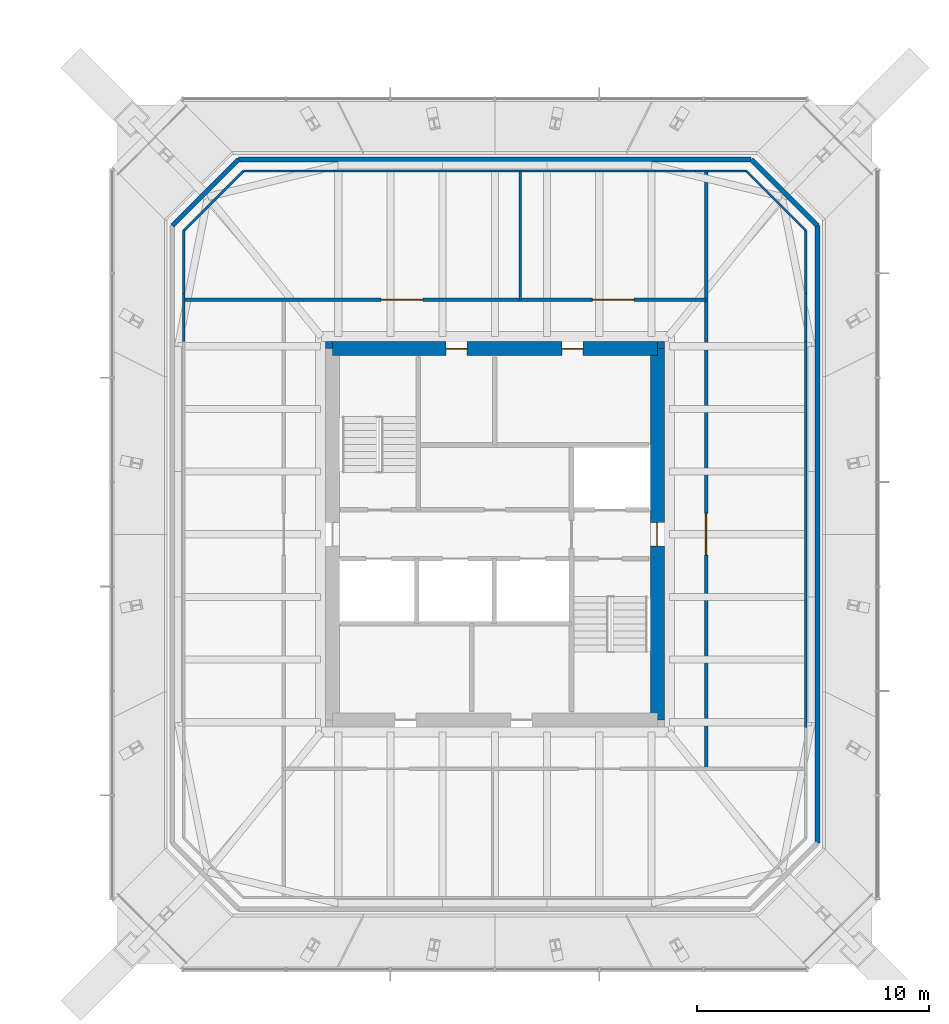
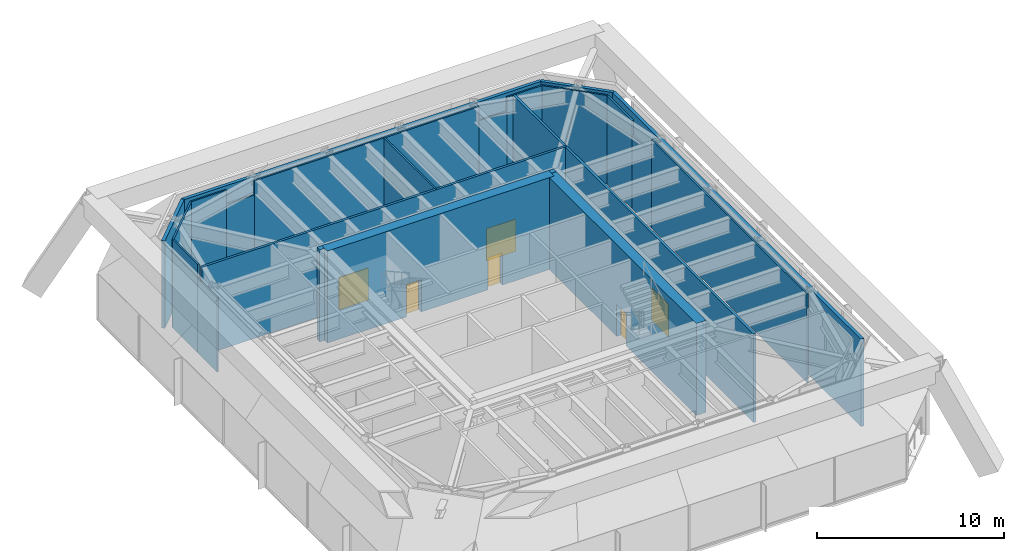
# One storey, part 12 of 16: 23 walls, 6 doors, 6 openings.
"""IFC4 building model written with IfcOpenShell, lengths in metres."""

from ifc_helpers import new_model, si_unit, direction, frame, frame_2d, origin, place, context, subcontext, project, spatial, rectangle, extrude, material, layer, layer_set, type_object, element, fill, save


model = new_model("IFC4")

# Units and contexts
model_context = context("Model", 3, precision=1e-05, world=origin(), true_north=direction((0.0, 1.0)))
body_context = subcontext(model_context, "Body", "Model", "MODEL_VIEW")
ifc_project = project(units=[si_unit("LENGTHUNIT", "METRE"), si_unit("AREAUNIT", "SQUARE_METRE"), si_unit("VOLUMEUNIT", "CUBIC_METRE"), si_unit("PLANEANGLEUNIT", "RADIAN"), si_unit("MASSUNIT", "GRAM", prefix="KILO")], contexts=[model_context])

# Site, building, storey
site_placement = place(None, origin())
site = spatial("IfcSite", under=ifc_project, at=site_placement, CompositionType="ELEMENT")
building_placement = place(site_placement, origin())
building = spatial("IfcBuilding", under=site, at=building_placement, Name="Iwan Alto Co-Living Towers", CompositionType="ELEMENT")
storey_placement = place(building_placement, frame((0.0, 0.0, 74.5)))
storey = spatial("IfcBuildingStorey", under=building, at=storey_placement, Name="L20", CompositionType="ELEMENT", Elevation=74.5)

# Wall, openings, doors
ifc_material_1 = material(Name="Gypsum board")
ifc_layer_1 = layer(ifc_material_1, 0.02490234375, Name="Board", Category="Finish")
ifc_material_2 = material(Name="Steel ASTM A1003 ST33H cold-formed studs", Category="steel")
ifc_layer_2 = layer(ifc_material_2, 0.10009765625, Name="Studs", Category="Framing")
ifc_layer_3 = layer(ifc_material_1, 0.02490234375, Name="Board", Category="Finish")
ifc_layer_set_1 = layer_set([ifc_layer_1, ifc_layer_2, ifc_layer_3], Name="CORRIDOR WALL 150")
wall_type_1 = type_object("IfcWallType", Name="CORRIDOR WALL 150", PredefinedType="PARTITIONING", material=ifc_layer_set_1)
wall_1_placement = place(storey_placement, frame((49.60009765625, 10.10009765625, 0.0), z_axis=(0.0, 0.0, 1.0), x_axis=(1.0, 0.0, 0.0)))
wall_1 = element("IfcWall", 1, at=wall_1_placement, inside=storey, type_object=wall_type_1, Name="Partition L20", PredefinedType="PARTITIONING", context=body_context, shape_type="SweptSolid", body=[
    extrude(rectangle(XDim=22.5, YDim=0.14990234375, at=frame_2d((11.25, 0.0))), origin(), (0.0, 0.0, 1.0), 5.77001953125),
])
opening_1_placement = place(wall_1_placement, frame((17.60009765625, 0.0, 0.0)))
opening_1 = element("IfcOpeningElement", 2, at=opening_1_placement, cuts=wall_1, Name="Opening D9", PredefinedType="OPENING", context=body_context, shape_type="SweptSolid", body=[
    extrude(rectangle(XDim=1.800048828125, YDim=2.10009765625, at=frame_2d((0.89990234375, 1.050048828125))), frame((0.0, 0.0849609375, 0.0), z_axis=(0.0, -1.0, 0.0), x_axis=(1.0, 0.0, 0.0)), (0.0, 0.0, 1.0), 0.169921875),
])
opening_2_placement = place(wall_1_placement, frame((8.5, 0.0, 0.0)))
opening_2 = element("IfcOpeningElement", 3, at=opening_2_placement, cuts=wall_1, Name="Opening D9", PredefinedType="OPENING", context=body_context, shape_type="SweptSolid", body=[
    extrude(rectangle(XDim=1.800048828125, YDim=2.10009765625, at=frame_2d((0.89990234375, 1.050048828125))), frame((0.0, 0.0849609375, 0.0), z_axis=(0.0, -1.0, 0.0), x_axis=(1.0, 0.0, 0.0)), (0.0, 0.0, 1.0), 0.169921875),
])
ifc_material_3 = material(Name="Steel frame with timber leaf", Category="steel")
door_type_1 = type_object("IfcDoorType", Name="LOUNGE DOOR FD30S 1800X2100", OperationType="DOUBLE_DOOR_SINGLE_SWING", PredefinedType="DOOR", material=ifc_material_3)
door_1_placement = place(opening_1_placement, origin())
door_1 = element("IfcDoor", 4, at=door_1_placement, inside=storey, type_object=door_type_1, Name="LV switch room door L20", OperationType="DOUBLE_DOOR_SINGLE_SWING", OverallHeight=2.10009765625, OverallWidth=1.800048828125, PredefinedType="DOOR", context=body_context, shape_type="SweptSolid", body=[
    extrude(rectangle(XDim=1.800048828125, YDim=2.10009765625, at=frame_2d((0.89990234375, 1.050048828125))), frame((0.0, 0.02490234375, 0.0), z_axis=(0.0, -1.0, 0.0), x_axis=(1.0, 0.0, 0.0)), (0.0, 0.0, 1.0), 0.050048828125),
])
fill(opening_1, door_1)
door_2_placement = place(opening_2_placement, origin())
door_2 = element("IfcDoor", 5, at=door_2_placement, inside=storey, type_object=door_type_1, Name="Plant room (air handling) door L20", OperationType="DOUBLE_DOOR_SINGLE_SWING", OverallHeight=2.10009765625, OverallWidth=1.800048828125, PredefinedType="DOOR", context=body_context, shape_type="SweptSolid", body=[
    extrude(rectangle(XDim=1.800048828125, YDim=2.10009765625, at=frame_2d((0.89990234375, 1.050048828125))), frame((0.0, 0.02490234375, 0.0), z_axis=(0.0, -1.0, 0.0), x_axis=(1.0, 0.0, 0.0)), (0.0, 0.0, 1.0), 0.050048828125),
])
fill(opening_2, door_2)

# Wall, opening, door
wall_2_placement = place(storey_placement, frame((72.10009765625, -10.10009765625, 0.0), z_axis=(0.0, 0.0, 1.0), x_axis=(0.0, 1.0, 0.0)))
wall_2 = element("IfcWall", 6, at=wall_2_placement, inside=storey, type_object=wall_type_1, Name="Partition L20", PredefinedType="PARTITIONING", context=body_context, shape_type="SweptSolid", body=[
    extrude(rectangle(XDim=25.75, YDim=0.14990234375, at=frame_2d((12.875, 0.0))), origin(), (0.0, 0.0, 1.0), 5.77001953125),
])
opening_3_placement = place(wall_2_placement, frame((9.199951171875, 0.0, 0.0)))
opening_3 = element("IfcOpeningElement", 7, at=opening_3_placement, cuts=wall_2, Name="Opening D9", PredefinedType="OPENING", context=body_context, shape_type="SweptSolid", body=[
    extrude(rectangle(XDim=1.800048828125, YDim=2.10009765625, at=frame_2d((0.89990234375, 1.050048828125))), frame((0.0, 0.0849609375, 0.0), z_axis=(0.0, -1.0, 0.0), x_axis=(1.0, 0.0, 0.0)), (0.0, 0.0, 1.0), 0.169921875),
])
door_3_placement = place(opening_3_placement, origin())
door_3 = element("IfcDoor", 8, at=door_3_placement, inside=storey, type_object=door_type_1, Name="Refuge area door L20", OperationType="DOUBLE_DOOR_SINGLE_SWING", OverallHeight=2.10009765625, OverallWidth=1.800048828125, PredefinedType="DOOR", context=body_context, shape_type="SweptSolid", body=[
    extrude(rectangle(XDim=1.800048828125, YDim=2.10009765625, at=frame_2d((0.89990234375, 1.050048828125))), frame((0.0, 0.02490234375, 0.0), z_axis=(0.0, -1.0, 0.0), x_axis=(1.0, 0.0, 0.0)), (0.0, 0.0, 1.0), 0.050048828125),
])
fill(opening_3, door_3)

# Walls
ifc_layer_4 = layer(ifc_material_1, 0.012451171875, Name="Board", Category="Finish")
ifc_layer_5 = layer(ifc_material_2, 0.074951171875, Name="Studs", Category="Framing")
ifc_layer_6 = layer(ifc_material_1, 0.012451171875, Name="Board", Category="Finish")
ifc_layer_set_2 = layer_set([ifc_layer_4, ifc_layer_5, ifc_layer_6], Name="PARTITION 100")
wall_type_2 = type_object("IfcWallType", Name="PARTITION 100", PredefinedType="PARTITIONING", material=ifc_layer_set_2)
wall_3_placement = place(storey_placement, frame((52.162109375, 15.64990234375, 0.0), z_axis=(0.0, 0.0, 1.0), x_axis=(1.0, 0.0, 0.0)))
element("IfcWall", 9, at=wall_3_placement, inside=storey, type_object=wall_type_2, Name="Partition L20", PredefinedType="PARTITIONING", context=body_context, shape_type="SweptSolid", body=[
    extrude(rectangle(XDim=2.19384765625, YDim=0.10009765625, at=frame_2d((1.096923828125, 0.0))), origin(), (0.0, 0.0, 1.0), 5.77001953125),
])
wall_4_placement = place(storey_placement, frame((49.60009765625, 13.087890625, 0.0), z_axis=(0.0, 0.0, 1.0), x_axis=(0.707106781187, 0.707106781187, 0.0)))
element("IfcWall", 10, at=wall_4_placement, inside=storey, type_object=wall_type_2, Name="Partition L20", PredefinedType="PARTITIONING", context=body_context, shape_type="SweptSolid", body=[
    extrude(rectangle(XDim=3.623291015625, YDim=0.10009765625, at=frame_2d((1.8115234375, 0.0))), origin(), (0.0, 0.0, 1.0), 5.77001953125),
])
wall_5_placement = place(storey_placement, frame((64.10009765625, 10.10009765625, 0.0), z_axis=(0.0, 0.0, 1.0), x_axis=(0.0, 1.0, 0.0)))
element("IfcWall", 11, at=wall_5_placement, inside=storey, type_object=wall_type_2, Name="Partition L20", PredefinedType="PARTITIONING", context=body_context, shape_type="SweptSolid", body=[
    extrude(rectangle(XDim=5.5498046875, YDim=0.10009765625, at=frame_2d((2.77490234375, 0.0))), origin(), (0.0, 0.0, 1.0), 5.77001953125),
])
wall_6_placement = place(storey_placement, frame((76.39990234375, 13.087890625, 0.0), z_axis=(0.0, 0.0, 1.0), x_axis=(-0.707106781187, 0.707106781187, 0.0)))
element("IfcWall", 12, at=wall_6_placement, inside=storey, type_object=wall_type_2, Name="Partition L20", PredefinedType="PARTITIONING", context=body_context, shape_type="SweptSolid", body=[
    extrude(rectangle(XDim=3.623291015625, YDim=0.10009765625, at=frame_2d((1.8115234375, 0.0))), origin(), (0.0, 0.0, 1.0), 5.77001953125),
])
wall_7_placement = place(storey_placement, frame((54.35595703125, 15.64990234375, 0.0), z_axis=(0.0, 0.0, 1.0), x_axis=(1.0, 0.0, 0.0)))
element("IfcWall", 13, at=wall_7_placement, inside=storey, type_object=wall_type_2, Name="Partition L20", PredefinedType="PARTITIONING", context=body_context, shape_type="SweptSolid", body=[
    extrude(rectangle(XDim=1.720947265625, YDim=0.10009765625, at=frame_2d((0.8603515625, 0.0))), origin(), (0.0, 0.0, 1.0), 4.843017578125),
])
wall_8_placement = place(storey_placement, frame((56.076904296875, 15.64990234375, 0.0), z_axis=(0.0, 0.0, 1.0), x_axis=(1.0, 0.0, 0.0)))
element("IfcWall", 14, at=wall_8_placement, inside=storey, type_object=wall_type_2, Name="Partition L20", PredefinedType="PARTITIONING", context=body_context, shape_type="SweptSolid", body=[
    extrude(rectangle(XDim=13.84619140625, YDim=0.10009765625, at=frame_2d((6.923095703125, 0.0))), origin(), (0.0, 0.0, 1.0), 5.77001953125),
])
wall_9_placement = place(storey_placement, frame((69.923095703125, 15.64990234375, 0.0), z_axis=(0.0, 0.0, 1.0), x_axis=(1.0, 0.0, 0.0)))
element("IfcWall", 15, at=wall_9_placement, inside=storey, type_object=wall_type_2, Name="Partition L20", PredefinedType="PARTITIONING", context=body_context, shape_type="SweptSolid", body=[
    extrude(rectangle(XDim=1.720947265625, YDim=0.10009765625, at=frame_2d((0.8603515625, 0.0))), origin(), (0.0, 0.0, 1.0), 4.843017578125),
])
wall_10_placement = place(storey_placement, frame((71.64404296875, 15.64990234375, 0.0), z_axis=(0.0, 0.0, 1.0), x_axis=(1.0, 0.0, 0.0)))
element("IfcWall", 16, at=wall_10_placement, inside=storey, type_object=wall_type_2, Name="Partition L20", PredefinedType="PARTITIONING", context=body_context, shape_type="SweptSolid", body=[
    extrude(rectangle(XDim=2.19384765625, YDim=0.10009765625, at=frame_2d((1.096923828125, 0.0))), origin(), (0.0, 0.0, 1.0), 5.77001953125),
])
wall_11_placement = place(storey_placement, frame((76.39990234375, -8.31591796875, 0.0), z_axis=(0.0, 0.0, 1.0), x_axis=(0.0, 1.0, 0.0)))
element("IfcWall", 17, at=wall_11_placement, inside=storey, type_object=wall_type_2, Name="Partition L20", PredefinedType="PARTITIONING", context=body_context, shape_type="SweptSolid", body=[
    extrude(rectangle(XDim=16.6318359375, YDim=0.10009765625, at=frame_2d((8.31591796875, 0.0))), origin(), (0.0, 0.0, 1.0), 5.77001953125),
])
wall_12_placement = place(storey_placement, frame((76.39990234375, 8.31591796875, 0.0), z_axis=(0.0, 0.0, 1.0), x_axis=(0.0, 1.0, 0.0)))
element("IfcWall", 18, at=wall_12_placement, inside=storey, type_object=wall_type_2, Name="Partition L20", PredefinedType="PARTITIONING", context=body_context, shape_type="SweptSolid", body=[
    extrude(rectangle(XDim=2.068115234375, YDim=0.10009765625, at=frame_2d((1.0341796875, 0.0))), origin(), (0.0, 0.0, 1.0), 4.843017578125),
])
wall_13_placement = place(storey_placement, frame((76.39990234375, 10.384033203125, 0.0), z_axis=(0.0, 0.0, 1.0), x_axis=(0.0, 1.0, 0.0)))
element("IfcWall", 19, at=wall_13_placement, inside=storey, type_object=wall_type_2, Name="Partition L20", PredefinedType="PARTITIONING", context=body_context, shape_type="SweptSolid", body=[
    extrude(rectangle(XDim=2.703857421875, YDim=0.10009765625, at=frame_2d((1.35205078125, 0.0))), origin(), (0.0, 0.0, 1.0), 5.77001953125),
])
wall_14_placement = place(storey_placement, frame((49.60009765625, 8.31591796875, 0.0), z_axis=(0.0, 0.0, 1.0), x_axis=(0.0, 1.0, 0.0)))
element("IfcWall", 20, at=wall_14_placement, inside=storey, type_object=wall_type_2, Name="Partition L20", PredefinedType="PARTITIONING", context=body_context, shape_type="SweptSolid", body=[
    extrude(rectangle(XDim=2.068115234375, YDim=0.10009765625, at=frame_2d((1.0341796875, 0.0))), origin(), (0.0, 0.0, 1.0), 4.843017578125),
])
wall_15_placement = place(storey_placement, frame((49.60009765625, 10.384033203125, 0.0), z_axis=(0.0, 0.0, 1.0), x_axis=(0.0, 1.0, 0.0)))
element("IfcWall", 21, at=wall_15_placement, inside=storey, type_object=wall_type_2, Name="Partition L20", PredefinedType="PARTITIONING", context=body_context, shape_type="SweptSolid", body=[
    extrude(rectangle(XDim=2.703857421875, YDim=0.10009765625, at=frame_2d((1.35205078125, 0.0))), origin(), (0.0, 0.0, 1.0), 5.77001953125),
])
ifc_material_4 = material(Name="Aluminium 6063-T6 bronze anodised", Category="aluminium")
ifc_layer_7 = layer(ifc_material_4, 0.050048828125, Name="Louvred screen", Category="Finish")
ifc_layer_8 = layer(ifc_material_2, 0.14990234375, Name="Studs", Category="Framing")
ifc_layer_set_3 = layer_set([ifc_layer_7, ifc_layer_8], Name="PLANT PLENUM WALL 200")
wall_type_3 = type_object("IfcWallType", Name="PLANT PLENUM WALL 200", PredefinedType="PARTITIONING", material=ifc_layer_set_3)
wall_16_placement = place(storey_placement, frame((76.89990234375, -13.294921875, 0.0), z_axis=(0.0, 0.0, 1.0), x_axis=(0.0, 1.0, 0.0)))
element("IfcWall", 22, at=wall_16_placement, inside=storey, type_object=wall_type_3, Name="T2 plant plenum wall L20 3", PredefinedType="PARTITIONING", context=body_context, shape_type="SweptSolid", body=[
    extrude(rectangle(XDim=26.58984375, YDim=0.199951171875, at=frame_2d((13.294921875, 0.0))), origin(), (0.0, 0.0, 1.0), 5.699951171875),
])
wall_17_placement = place(storey_placement, frame((76.89990234375, 13.294921875, 0.0), z_axis=(0.0, 0.0, 1.0), x_axis=(-0.707106781187, 0.707106781187, 0.0)))
element("IfcWall", 23, at=wall_17_placement, inside=storey, type_object=wall_type_3, Name="T2 plant plenum wall L20 4", PredefinedType="PARTITIONING", context=body_context, shape_type="SweptSolid", body=[
    extrude(rectangle(XDim=4.03759765625, YDim=0.199951171875, at=frame_2d((2.018798828125, 0.0))), origin(), (0.0, 0.0, 1.0), 5.699951171875),
])
wall_18_placement = place(storey_placement, frame((74.044921875, 16.14990234375, 0.0), z_axis=(0.0, 0.0, 1.0), x_axis=(-1.0, 0.0, 0.0)))
element("IfcWall", 24, at=wall_18_placement, inside=storey, type_object=wall_type_3, Name="T2 plant plenum wall L20 5", PredefinedType="PARTITIONING", context=body_context, shape_type="SweptSolid", body=[
    extrude(rectangle(XDim=22.08984375, YDim=0.199951171875, at=frame_2d((11.044921875, 0.0))), origin(), (0.0, 0.0, 1.0), 5.699951171875),
])
wall_19_placement = place(storey_placement, frame((51.955078125, 16.14990234375, 0.0), z_axis=(0.0, 0.0, 1.0), x_axis=(-0.707106781187, -0.707106781187, 0.0)))
element("IfcWall", 25, at=wall_19_placement, inside=storey, type_object=wall_type_3, Name="T2 plant plenum wall L20 6", PredefinedType="PARTITIONING", context=body_context, shape_type="SweptSolid", body=[
    extrude(rectangle(XDim=4.03759765625, YDim=0.199951171875, at=frame_2d((2.018798828125, 0.0))), origin(), (0.0, 0.0, 1.0), 5.699951171875),
])
ifc_material_5 = material(Name="Concrete f'c 70 MPa", Category="concrete")
ifc_layer_9 = layer(ifc_material_5, 0.300048828125)
ifc_layer_set_4 = layer_set([ifc_layer_9], Name="T2 CORE CORNER FILL 300")
wall_type_4 = type_object("IfcWallType", Name="T2 CORE CORNER FILL 300", PredefinedType="SOLIDWALL", material=ifc_layer_set_4)
for number, where, z_axis, x_axis, name in (
    (26, (70.0, 8.14990234375, 0.0), (0.0, 0.0, 1.0), (1.0, 0.0, 0.0), "T2 core corner NE L20"),
    (27, (55.699951171875, 8.14990234375, 0.0), (0.0, 0.0, 1.0), (1.0, 0.0, 0.0), "T2 core corner NW L20"),
):
    element("IfcWall", number, at=place(storey_placement, frame(where, z_axis=z_axis, x_axis=x_axis)), inside=storey, type_object=wall_type_4, Name=name, PredefinedType="SOLIDWALL", context=body_context, shape_type="SweptSolid", body=[
        extrude(rectangle(XDim=0.300048828125, YDim=0.300048828125, at=frame_2d((0.14990234375, 0.0))), origin(), (0.0, 0.0, 1.0), 6.0),
    ])

# Wall, openings, doors
ifc_material_6 = material(Name="Concrete f'c 70 MPa", Category="concrete")
ifc_layer_10 = layer(ifc_material_6, 0.60009765625)
ifc_layer_set_5 = layer_set([ifc_layer_10], Name="T2 CORE WALL 600")
wall_type_5 = type_object("IfcWallType", Name="T2 CORE WALL 600", PredefinedType="SHEAR", material=ifc_layer_set_5)
wall_20_placement = place(storey_placement, frame((70.0, 8.0, 0.0), z_axis=(0.0, 0.0, 1.0), x_axis=(-1.0, 0.0, 0.0)))
wall_20 = element("IfcWall", 28, at=wall_20_placement, inside=storey, type_object=wall_type_5, Name="T2 core wall N L20", PredefinedType="SHEAR", context=body_context, shape_type="SweptSolid", body=[
    extrude(rectangle(XDim=14.0, YDim=0.60009765625, at=frame_2d((7.0, 0.0))), origin(), (0.0, 0.0, 1.0), 6.0),
])
opening_4_placement = place(wall_20_placement, frame((8.199951171875, 0.0, 0.0)))
opening_4 = element("IfcOpeningElement", 29, at=opening_4_placement, cuts=wall_20, Name="Opening D8", PredefinedType="OPENING", context=body_context, shape_type="SweptSolid", body=[
    extrude(rectangle(XDim=0.89990234375, YDim=2.10009765625, at=frame_2d((0.449951171875, 1.050048828125))), frame((0.0, 0.31005859375, 0.0), z_axis=(0.0, -1.0, 0.0), x_axis=(1.0, 0.0, 0.0)), (0.0, 0.0, 1.0), 0.6201171875),
])
opening_5_placement = place(wall_20_placement, frame((3.199951171875, 0.0, 0.0)))
opening_5 = element("IfcOpeningElement", 30, at=opening_5_placement, cuts=wall_20, Name="Opening D8", PredefinedType="OPENING", context=body_context, shape_type="SweptSolid", body=[
    extrude(rectangle(XDim=0.89990234375, YDim=2.10009765625, at=frame_2d((0.449951171875, 1.050048828125))), frame((0.0, 0.31005859375, 0.0), z_axis=(0.0, -1.0, 0.0), x_axis=(1.0, 0.0, 0.0)), (0.0, 0.0, 1.0), 0.6201171875),
])
ifc_material_7 = material(Name="Steel frame with timber leaf", Category="steel")
door_type_2 = type_object("IfcDoorType", Name="RISER DOOR FD120 900X2100", OperationType="SINGLE_SWING_LEFT", PredefinedType="DOOR", material=ifc_material_7)
door_4_placement = place(opening_4_placement, origin())
door_4 = element("IfcDoor", 31, at=door_4_placement, inside=storey, type_object=door_type_2, Name="Electrical riser core door L20", OperationType="SINGLE_SWING_RIGHT", OverallHeight=2.10009765625, OverallWidth=0.89990234375, PredefinedType="DOOR", context=body_context, shape_type="SweptSolid", body=[
    extrude(rectangle(XDim=0.89990234375, YDim=2.10009765625, at=frame_2d((0.449951171875, 1.050048828125))), frame((0.0, 0.02490234375, 0.0), z_axis=(0.0, -1.0, 0.0), x_axis=(1.0, 0.0, 0.0)), (0.0, 0.0, 1.0), 0.050048828125),
])
fill(opening_4, door_4)
door_5_placement = place(opening_5_placement, origin())
door_5 = element("IfcDoor", 32, at=door_5_placement, inside=storey, type_object=door_type_2, Name="Water and drainage riser core door L20", OperationType="SINGLE_SWING_RIGHT", OverallHeight=2.10009765625, OverallWidth=0.89990234375, PredefinedType="DOOR", context=body_context, shape_type="SweptSolid", body=[
    extrude(rectangle(XDim=0.89990234375, YDim=2.10009765625, at=frame_2d((0.449951171875, 1.050048828125))), frame((0.0, 0.02490234375, 0.0), z_axis=(0.0, -1.0, 0.0), x_axis=(1.0, 0.0, 0.0)), (0.0, 0.0, 1.0), 0.050048828125),
])
fill(opening_5, door_5)

# Wall, opening, door
wall_21_placement = place(storey_placement, frame((70.0, -8.0, 0.0), z_axis=(0.0, 0.0, 1.0), x_axis=(0.0, 1.0, 0.0)))
wall_21 = element("IfcWall", 33, at=wall_21_placement, inside=storey, type_object=wall_type_5, Name="T2 core wall E L20", PredefinedType="SHEAR", context=body_context, shape_type="SweptSolid", body=[
    extrude(rectangle(XDim=16.0, YDim=0.60009765625, at=frame_2d((8.0, 0.0))), origin(), (0.0, 0.0, 1.0), 6.0),
])
opening_6_placement = place(wall_21_placement, frame((7.5, 0.0, 0.0)))
opening_6 = element("IfcOpeningElement", 34, at=opening_6_placement, cuts=wall_21, Name="Opening D7", PredefinedType="OPENING", context=body_context, shape_type="SweptSolid", body=[
    extrude(rectangle(XDim=1.0, YDim=2.10009765625, at=frame_2d((0.5, 1.050048828125))), frame((0.0, 0.31005859375, 0.0), z_axis=(0.0, -1.0, 0.0), x_axis=(1.0, 0.0, 0.0)), (0.0, 0.0, 1.0), 0.6201171875),
])
ifc_material_8 = material(Name="Steel frame with timber leaf", Category="steel")
door_type_3 = type_object("IfcDoorType", Name="CORE DOOR FD120S 1000X2100", OperationType="SINGLE_SWING_LEFT", PredefinedType="DOOR", material=ifc_material_8)
door_6_placement = place(opening_6_placement, origin())
door_6 = element("IfcDoor", 35, at=door_6_placement, inside=storey, type_object=door_type_3, Name="Firefighting lobby core door L20", OperationType="SINGLE_SWING_LEFT", OverallHeight=2.10009765625, OverallWidth=1.0, PredefinedType="DOOR", context=body_context, shape_type="SweptSolid", body=[
    extrude(rectangle(XDim=1.0, YDim=2.10009765625, at=frame_2d((0.5, 1.050048828125))), frame((0.0, 0.02490234375, 0.0), z_axis=(0.0, -1.0, 0.0), x_axis=(1.0, 0.0, 0.0)), (0.0, 0.0, 1.0), 0.050048828125),
])
fill(opening_6, door_6)

save(model, "model.ifc")
